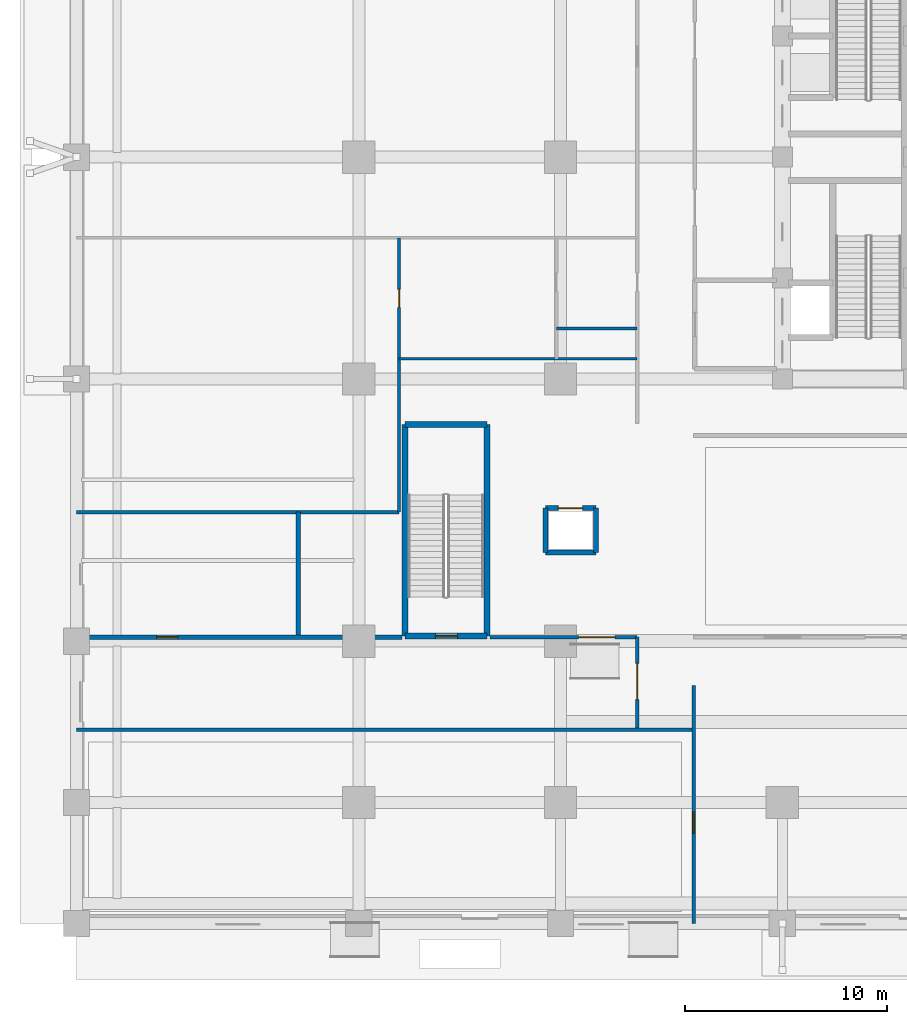
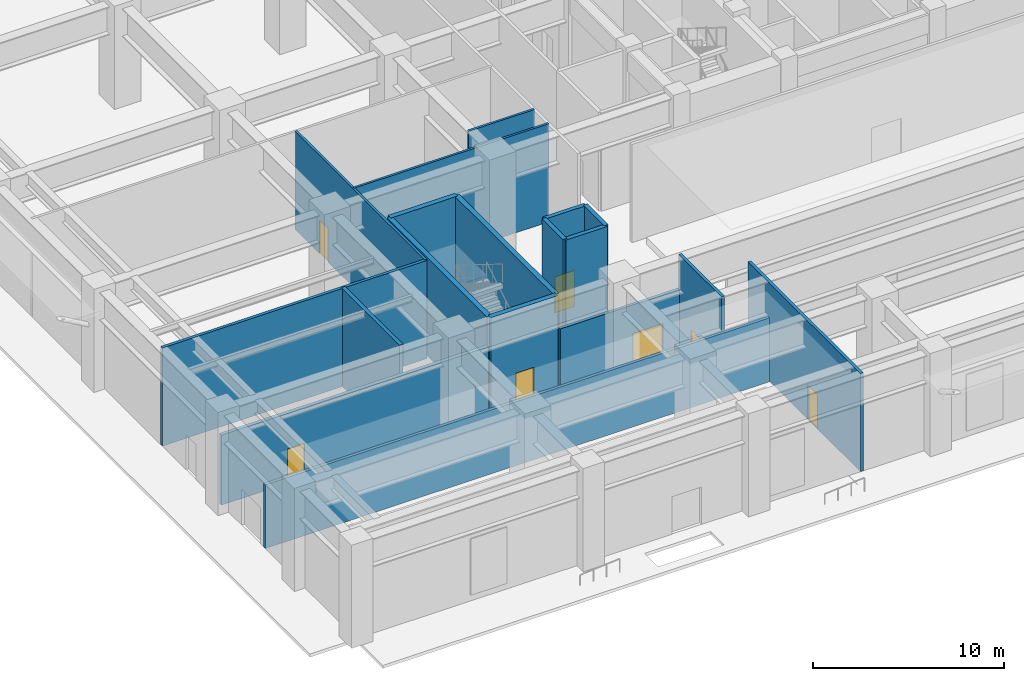
# One storey, part 6 of 21: 18 walls, 7 doors, 7 openings.
"""IFC4 building model written with IfcOpenShell, lengths in metres."""

from ifc_helpers import new_model, si_unit, direction, frame, frame_2d, origin, place, context, subcontext, project, spatial, rectangle, extrude, source, transform, mapped, material, layer, layer_set, type_object, element, fill, save


model = new_model("IFC4")

# Units and contexts
model_context = context("Model", 3, precision=1e-05, world=origin(), true_north=direction((0.0, 1.0)))
body_context = subcontext(model_context, "Body", "Model", "MODEL_VIEW")
ifc_project = project(units=[si_unit("LENGTHUNIT", "METRE"), si_unit("AREAUNIT", "SQUARE_METRE"), si_unit("VOLUMEUNIT", "CUBIC_METRE"), si_unit("PLANEANGLEUNIT", "RADIAN"), si_unit("MASSUNIT", "GRAM", prefix="KILO")], contexts=[model_context])

# Site, building, storey
site_placement = place(None, origin())
site = spatial("IfcSite", under=ifc_project, at=site_placement, CompositionType="ELEMENT")
building_placement = place(site_placement, origin())
building = spatial("IfcBuilding", under=site, at=building_placement, Name="Khorayat Bourse Tower", CompositionType="ELEMENT")
storey_placement = place(building_placement, origin())
storey = spatial("IfcBuildingStorey", under=building, at=storey_placement, Name="L00", CompositionType="ELEMENT", Elevation=0.0)

# Wall, opening, door
ifc_material_1 = material(Name="Concrete C50/60", Category="concrete")
ifc_layer_1 = layer(ifc_material_1, 0.300048828125)
ifc_layer_set_1 = layer_set([ifc_layer_1], Name="Concrete C50/60")
wall_type_1 = type_object("IfcWallType", Name="WAL-SHAFT-300", PredefinedType="SHEAR", material=ifc_layer_set_1)
shared_shape_1 = source(origin(), body_context, "Body", "SweptSolid", [
    extrude(rectangle(XDim=4.050048828125, YDim=0.300048828125, at=frame_2d((2.02490234375, 0.0))), origin(), (0.0, 0.0, 1.0), 6.280029296875),
])
wall_1_placement = place(storey_placement, frame((-29.699951171875, -23.75, 0.0), z_axis=(0.0, 0.0, 1.0), x_axis=(1.0, 0.0, 0.0)))
wall_1 = element("IfcWall", 1, at=wall_1_placement, inside=storey, type_object=wall_type_1, Name="L00 Partition WAL-L00-STP1-S", PredefinedType="SHEAR", context=body_context, shape_type="MappedRepresentation", body=[
    mapped(shared_shape_1, transform((0.0, 0.0, 0.0), scale=1.0)),
])
shared_shape_2 = source(origin(), body_context, "Body", "SweptSolid", [
    extrude(rectangle(XDim=1.10009765625, YDim=2.199951171875, at=frame_2d((0.550048828125, 1.10009765625))), frame((0.0, 0.159912109375, 0.0), z_axis=(0.0, -1.0, 0.0), x_axis=(1.0, 0.0, 0.0)), (0.0, 0.0, 1.0), 0.320068359375),
])
opening_1_placement = place(wall_1_placement, frame((1.5, 0.0, 0.0)))
opening_1 = element("IfcOpeningElement", 2, at=opening_1_placement, cuts=wall_1, Name="Opening DI-01", PredefinedType="OPENING", context=body_context, shape_type="MappedRepresentation", body=[
    mapped(shared_shape_2, transform((0.0, 0.0, 0.0), scale=1.0)),
])
ifc_material_2 = material(Name="Fire-rated steel acoustic leaf", Category="steel")
door_type_1 = type_object("IfcDoorType", Name="DR-INT-STAIR-1100", OperationType="NOTDEFINED", PredefinedType="DOOR", material=ifc_material_2)
shared_shape_3 = source(origin(), body_context, "Body", "SweptSolid", [
    extrude(rectangle(XDim=1.10009765625, YDim=2.199951171875, at=frame_2d((0.550048828125, 1.10009765625))), frame((0.0, 0.02490234375, 0.0), z_axis=(0.0, -1.0, 0.0), x_axis=(1.0, 0.0, 0.0)), (0.0, 0.0, 1.0), 0.050048828125),
])
door_1_placement = place(opening_1_placement, origin())
door_1 = element("IfcDoor", 3, at=door_1_placement, inside=storey, type_object=door_type_1, Name="L00 Podium Stair P1 Door", OperationType="SINGLE_SWING_LEFT", OverallHeight=2.199951171875, OverallWidth=1.10009765625, PredefinedType="DOOR", context=body_context, shape_type="MappedRepresentation", body=[
    mapped(shared_shape_3, transform((0.0, 0.0, 0.0), scale=1.0)),
])
fill(opening_1, door_1)

# Walls
wall_2_placement = place(storey_placement, frame((-29.699951171875, -13.25, 0.0), z_axis=(0.0, 0.0, 1.0), x_axis=(1.0, 0.0, 0.0)))
element("IfcWall", 4, at=wall_2_placement, inside=storey, type_object=wall_type_1, Name="L00 Partition WAL-L00-STP1-N", PredefinedType="SHEAR", context=body_context, shape_type="MappedRepresentation", body=[
    mapped(shared_shape_1, transform((0.0, 0.0, 0.0), scale=1.0)),
])
shared_shape_4 = source(origin(), body_context, "Body", "SweptSolid", [
    extrude(rectangle(XDim=10.5, YDim=0.300048828125, at=frame_2d((5.25, 0.0))), origin(), (0.0, 0.0, 1.0), 6.280029296875),
])
for number, where, z_axis, x_axis, name in (
    (5, (-29.699951171875, -23.75, 0.0), (0.0, 0.0, 1.0), (0.0, 1.0, 0.0), "L00 Partition WAL-L00-STP1-W"),
    (6, (-25.64990234375, -23.75, 0.0), (0.0, 0.0, 1.0), (0.0, 1.0, 0.0), "L00 Partition WAL-L00-STP1-E"),
):
    element("IfcWall", number, at=place(storey_placement, frame(where, z_axis=z_axis, x_axis=x_axis)), inside=storey, type_object=wall_type_1, Name=name, PredefinedType="SHEAR", context=body_context, shape_type="MappedRepresentation", body=[
        mapped(shared_shape_4, transform((0.0, 0.0, 0.0), scale=1.0)),
    ])
shared_shape_5 = source(origin(), body_context, "Body", "SweptSolid", [
    extrude(rectangle(XDim=2.5, YDim=0.25, at=frame_2d((1.25, 0.0))), origin(), (0.0, 0.0, 1.0), 6.280029296875),
])
wall_3_placement = place(storey_placement, frame((-22.75, -19.60009765625, 0.0), z_axis=(0.0, 0.0, 1.0), x_axis=(1.0, 0.0, 0.0)))
element("IfcWall", 7, at=wall_3_placement, inside=storey, type_object=wall_type_1, Name="L00 Partition WAL-L00-PLP1-S", PredefinedType="SHEAR", context=body_context, shape_type="MappedRepresentation", body=[
    mapped(shared_shape_5, transform((0.0, 0.0, 0.0), scale=1.0)),
])

# Wall, opening, door
wall_4_placement = place(storey_placement, frame((-22.75, -17.39990234375, 0.0), z_axis=(0.0, 0.0, 1.0), x_axis=(1.0, 0.0, 0.0)))
wall_4 = element("IfcWall", 8, at=wall_4_placement, inside=storey, type_object=wall_type_1, Name="L00 Partition WAL-L00-PLP1-N", PredefinedType="SHEAR", context=body_context, shape_type="MappedRepresentation", body=[
    mapped(shared_shape_5, transform((0.0, 0.0, 0.0), scale=1.0)),
])
shared_shape_6 = source(origin(), body_context, "Body", "SweptSolid", [
    extrude(rectangle(XDim=1.199951171875, YDim=2.300048828125, at=frame_2d((0.60009765625, 1.14990234375))), frame((0.0, 0.135009765625, 0.0), z_axis=(0.0, -1.0, 0.0), x_axis=(1.0, 0.0, 0.0)), (0.0, 0.0, 1.0), 0.27001953125),
])
opening_2_placement = place(wall_4_placement, frame((0.64990234375, 0.0, 0.0)))
opening_2 = element("IfcOpeningElement", 9, at=opening_2_placement, cuts=wall_4, Name="Opening LD-01", PredefinedType="OPENING", context=body_context, shape_type="MappedRepresentation", body=[
    mapped(shared_shape_6, transform((0.0, 0.0, 0.0), scale=1.0)),
])
ifc_material_3 = material(Name="Brushed bronze stainless-steel sliding door", Category="steel")
door_type_2 = type_object("IfcDoorType", Name="DR-LIFT-PASS-1200", OperationType="NOTDEFINED", PredefinedType="DOOR", material=ifc_material_3)
shared_shape_7 = source(origin(), body_context, "Body", "SweptSolid", [
    extrude(rectangle(XDim=1.199951171875, YDim=2.300048828125, at=frame_2d((0.60009765625, 1.14990234375))), frame((0.0, 0.02490234375, 0.0), z_axis=(0.0, -1.0, 0.0), x_axis=(1.0, 0.0, 0.0)), (0.0, 0.0, 1.0), 0.050048828125),
])
door_2_placement = place(opening_2_placement, origin())
door_2 = element("IfcDoor", 10, at=door_2_placement, inside=storey, type_object=door_type_2, Name="L00 Lift PL-P1 Sliding Landing Door", OperationType="SLIDING_TO_LEFT", OverallHeight=2.300048828125, OverallWidth=1.199951171875, PredefinedType="DOOR", context=body_context, shape_type="MappedRepresentation", body=[
    mapped(shared_shape_7, transform((0.0, 0.0, 0.0), scale=1.0)),
])
fill(opening_2, door_2)

# Walls
shared_shape_8 = source(origin(), body_context, "Body", "SweptSolid", [
    extrude(rectangle(XDim=2.2001953125, YDim=0.25, at=frame_2d((1.10009765625, 0.0))), origin(), (0.0, 0.0, 1.0), 6.280029296875),
])
for number, where, z_axis, x_axis, name in (
    (11, (-22.75, -19.60009765625, 0.0), (0.0, 0.0, 1.0), (0.0, 1.0, 0.0), "L00 Partition WAL-L00-PLP1-W"),
    (12, (-20.25, -19.60009765625, 0.0), (0.0, 0.0, 1.0), (0.0, 1.0, 0.0), "L00 Partition WAL-L00-PLP1-E"),
):
    element("IfcWall", number, at=place(storey_placement, frame(where, z_axis=z_axis, x_axis=x_axis)), inside=storey, type_object=wall_type_1, Name=name, PredefinedType="SHEAR", context=body_context, shape_type="MappedRepresentation", body=[
        mapped(shared_shape_8, transform((0.0, 0.0, 0.0), scale=1.0)),
    ])

# Wall, opening, door
ifc_material_4 = material(Name="Gypsum plasterboard acoustic stud wall")
ifc_layer_2 = layer(ifc_material_4, 0.179931640625)
ifc_layer_set_2 = layer_set([ifc_layer_2], Name="Gypsum plasterboard acoustic stud wall")
wall_type_2 = type_object("IfcWallType", Name="WAL-PART-CORR-180", PredefinedType="PARTITIONING", material=ifc_layer_set_2)
shared_shape_9 = source(origin(), body_context, "Body", "SweptSolid", [
    extrude(rectangle(XDim=11.800048828125, YDim=0.179931640625, at=frame_2d((5.89990234375, 0.0))), origin(), (0.0, 0.0, 1.0), 6.280029296875),
])
wall_5_placement = place(storey_placement, frame((-15.39990234375, -38.0, 0.0), z_axis=(0.0, 0.0, 1.0), x_axis=(0.0, 1.0, 0.0)))
wall_5 = element("IfcWall", 13, at=wall_5_placement, inside=storey, type_object=wall_type_2, Name="L00 Partition WAL-L00-IWAN-W", PredefinedType="PARTITIONING", context=body_context, shape_type="MappedRepresentation", body=[
    mapped(shared_shape_9, transform((0.0, 0.0, 0.0), scale=1.0)),
])
shared_shape_10 = source(origin(), body_context, "Body", "SweptSolid", [
    extrude(rectangle(XDim=1.050048828125, YDim=2.199951171875, at=frame_2d((0.52490234375, 1.10009765625))), frame((0.0, 0.099853515625, 0.0), z_axis=(0.0, -1.0, 0.0), x_axis=(1.0, 0.0, 0.0)), (0.0, 0.0, 1.0), 0.199951171875),
])
opening_3_placement = place(wall_5_placement, frame((4.47509765625, 0.0, 0.0)))
opening_3 = element("IfcOpeningElement", 14, at=opening_3_placement, cuts=wall_5, Name="Opening DI-04", PredefinedType="OPENING", context=body_context, shape_type="MappedRepresentation", body=[
    mapped(shared_shape_10, transform((0.0, 0.0, 0.0), scale=1.0)),
])
ifc_material_5 = material(Name="Fire-rated oak veneer suite entrance door")
door_type_3 = type_object("IfcDoorType", Name="DR-INT-SUITE-1050", OperationType="NOTDEFINED", PredefinedType="DOOR", material=ifc_material_5)
shared_shape_11 = source(origin(), body_context, "Body", "SweptSolid", [
    extrude(rectangle(XDim=1.050048828125, YDim=2.199951171875, at=frame_2d((0.52490234375, 1.10009765625))), frame((0.0, 0.02490234375, 0.0), z_axis=(0.0, -1.0, 0.0), x_axis=(1.0, 0.0, 0.0)), (0.0, 0.0, 1.0), 0.050048828125),
])
door_3_placement = place(opening_3_placement, origin())
door_3 = element("IfcDoor", 15, at=door_3_placement, inside=storey, type_object=door_type_3, Name="L00 West Retail Foyer Door", OperationType="SINGLE_SWING_LEFT", OverallHeight=2.199951171875, OverallWidth=1.050048828125, PredefinedType="DOOR", context=body_context, shape_type="MappedRepresentation", body=[
    mapped(shared_shape_11, transform((0.0, 0.0, 0.0), scale=1.0)),
])
fill(opening_3, door_3)

# Wall
shared_shape_12 = source(origin(), body_context, "Body", "SweptSolid", [
    extrude(rectangle(XDim=30.60009765625, YDim=0.179931640625, at=frame_2d((15.300048828125, 0.0))), origin(), (0.0, 0.0, 1.0), 4.080078125),
])
wall_6_placement = place(storey_placement, frame((-46.0, -28.39990234375, 0.0), z_axis=(0.0, 0.0, 1.0), x_axis=(1.0, 0.0, 0.0)))
element("IfcWall", 16, at=wall_6_placement, inside=storey, type_object=wall_type_2, Name="L00 Partition WAL-L00-RET-NW", PredefinedType="PARTITIONING", context=body_context, shape_type="MappedRepresentation", body=[
    mapped(shared_shape_12, transform((0.0, 0.0, 0.0), scale=1.0)),
])

# Wall, opening, door
shared_shape_13 = source(origin(), body_context, "Body", "SweptSolid", [
    extrude(rectangle(XDim=4.5, YDim=0.179931640625, at=frame_2d((2.25, 0.0))), origin(), (0.0, 0.0, 1.0), 6.280029296875),
])
wall_7_placement = place(storey_placement, frame((-18.199951171875, -28.300048828125, 0.0), z_axis=(0.0, 0.0, 1.0), x_axis=(0.0, 1.0, 0.0)))
wall_7 = element("IfcWall", 17, at=wall_7_placement, inside=storey, type_object=wall_type_2, Name="L00 Partition WAL-L00-WEX-E", PredefinedType="PARTITIONING", context=body_context, shape_type="MappedRepresentation", body=[
    mapped(shared_shape_13, transform((0.0, 0.0, 0.0), scale=1.0)),
])
shared_shape_14 = source(origin(), body_context, "Body", "SweptSolid", [
    extrude(rectangle(XDim=1.800048828125, YDim=2.25, at=frame_2d((0.89990234375, 1.125))), frame((0.0, 0.099853515625, 0.0), z_axis=(0.0, -1.0, 0.0), x_axis=(1.0, 0.0, 0.0)), (0.0, 0.0, 1.0), 0.199951171875),
])
opening_4_placement = place(wall_7_placement, frame((1.39990234375, 0.0, 0.0)))
opening_4 = element("IfcOpeningElement", 18, at=opening_4_placement, cuts=wall_7, Name="Opening DI-03", PredefinedType="OPENING", context=body_context, shape_type="MappedRepresentation", body=[
    mapped(shared_shape_14, transform((0.0, 0.0, 0.0), scale=1.0)),
])
ifc_material_6 = material(Name="Fire-rated hardwood vision-panel double leaf", Category="wood")
door_type_4 = type_object("IfcDoorType", Name="DR-INT-CORR-1800", OperationType="NOTDEFINED", PredefinedType="DOOR", material=ifc_material_6)
shared_shape_15 = source(origin(), body_context, "Body", "SweptSolid", [
    extrude(rectangle(XDim=1.800048828125, YDim=2.25, at=frame_2d((0.89990234375, 1.125))), frame((0.0, 0.02490234375, 0.0), z_axis=(0.0, -1.0, 0.0), x_axis=(1.0, 0.0, 0.0)), (0.0, 0.0, 1.0), 0.050048828125),
])
door_4_placement = place(opening_4_placement, origin())
door_4 = element("IfcDoor", 19, at=door_4_placement, inside=storey, type_object=door_type_4, Name="L00 West Exit Passage Concourse Door", OperationType="SINGLE_SWING_LEFT", OverallHeight=2.25, OverallWidth=1.800048828125, PredefinedType="DOOR", context=body_context, shape_type="MappedRepresentation", body=[
    mapped(shared_shape_15, transform((0.0, 0.0, 0.0), scale=1.0)),
])
fill(opening_4, door_4)

ifc_material_7 = material(Name="Aerated concrete blockwork", Category="masonry")
ifc_layer_3 = layer(ifc_material_7, 0.219970703125)
ifc_layer_set_3 = layer_set([ifc_layer_3], Name="Aerated concrete blockwork")
wall_type_3 = type_object("IfcWallType", Name="WAL-PART-FF-220", PredefinedType="PARTITIONING", material=ifc_layer_set_3)
shared_shape_16 = source(origin(), body_context, "Body", "SweptSolid", [
    extrude(rectangle(XDim=16.14990234375, YDim=0.219970703125, at=frame_2d((8.074951171875, 0.0))), origin(), (0.0, 0.0, 1.0), 4.47998046875),
])
wall_8_placement = place(storey_placement, frame((-46.0, -23.800048828125, 0.0), z_axis=(0.0, 0.0, 1.0), x_axis=(1.0, 0.0, 0.0)))
wall_8 = element("IfcWall", 20, at=wall_8_placement, inside=storey, type_object=wall_type_3, Name="L00 Partition WAL-L00-WEX-N1", PredefinedType="PARTITIONING", context=body_context, shape_type="MappedRepresentation", body=[
    mapped(shared_shape_16, transform((0.0, 0.0, 0.0), scale=1.0)),
])
shared_shape_17 = source(origin(), body_context, "Body", "SweptSolid", [
    extrude(rectangle(XDim=1.050048828125, YDim=2.199951171875, at=frame_2d((0.52490234375, 1.10009765625))), frame((0.0, 0.119873046875, 0.0), z_axis=(0.0, -1.0, 0.0), x_axis=(1.0, 0.0, 0.0)), (0.0, 0.0, 1.0), 0.239990234375),
])
opening_5_placement = place(wall_8_placement, frame((3.97509765625, 0.0, 0.0)))
opening_5 = element("IfcOpeningElement", 21, at=opening_5_placement, cuts=wall_8, Name="Opening DI-04", PredefinedType="OPENING", context=body_context, shape_type="MappedRepresentation", body=[
    mapped(shared_shape_17, transform((0.0, 0.0, 0.0), scale=1.0)),
])
door_5_placement = place(opening_5_placement, origin())
door_5 = element("IfcDoor", 22, at=door_5_placement, inside=storey, type_object=door_type_3, Name="L00 Fire Command Room Door", OperationType="SINGLE_SWING_LEFT", OverallHeight=2.199951171875, OverallWidth=1.050048828125, PredefinedType="DOOR", context=body_context, shape_type="MappedRepresentation", body=[
    mapped(shared_shape_11, transform((0.0, 0.0, 0.0), scale=1.0)),
])
fill(opening_5, door_5)

shared_shape_18 = source(origin(), body_context, "Body", "SweptSolid", [
    extrude(rectangle(XDim=7.300048828125, YDim=0.179931640625, at=frame_2d((3.64990234375, 0.0))), origin(), (0.0, 0.0, 1.0), 4.080078125),
])
wall_9_placement = place(storey_placement, frame((-25.5, -23.800048828125, 0.0), z_axis=(0.0, 0.0, 1.0), x_axis=(1.0, 0.0, 0.0)))
wall_9 = element("IfcWall", 23, at=wall_9_placement, inside=storey, type_object=wall_type_2, Name="L00 Partition WAL-L00-WEX-N2", PredefinedType="PARTITIONING", context=body_context, shape_type="MappedRepresentation", body=[
    mapped(shared_shape_18, transform((0.0, 0.0, 0.0), scale=1.0)),
])
opening_6_placement = place(wall_9_placement, frame((4.39990234375, 0.0, 0.0)))
opening_6 = element("IfcOpeningElement", 24, at=opening_6_placement, cuts=wall_9, Name="Opening DI-03", PredefinedType="OPENING", context=body_context, shape_type="MappedRepresentation", body=[
    mapped(shared_shape_14, transform((0.0, 0.0, 0.0), scale=1.0)),
])
door_6_placement = place(opening_6_placement, origin())
door_6 = element("IfcDoor", 25, at=door_6_placement, inside=storey, type_object=door_type_4, Name="L00 West Corridor Exit Passage Door", OperationType="SINGLE_SWING_LEFT", OverallHeight=2.25, OverallWidth=1.800048828125, PredefinedType="DOOR", context=body_context, shape_type="MappedRepresentation", body=[
    mapped(shared_shape_15, transform((0.0, 0.0, 0.0), scale=1.0)),
])
fill(opening_6, door_6)

# Walls
shared_shape_19 = source(origin(), body_context, "Body", "SweptSolid", [
    extrude(rectangle(XDim=6.08984375, YDim=0.219970703125, at=frame_2d((3.044921875, 0.0))), origin(), (0.0, 0.0, 1.0), 6.280029296875),
])
wall_10_placement = place(storey_placement, frame((-35.0, -23.68994140625, 0.0), z_axis=(0.0, 0.0, 1.0), x_axis=(0.0, 1.0, 0.0)))
element("IfcWall", 26, at=wall_10_placement, inside=storey, type_object=wall_type_3, Name="L00 Partition WAL-L00-FCC-E", PredefinedType="PARTITIONING", context=body_context, shape_type="MappedRepresentation", body=[
    mapped(shared_shape_19, transform((0.0, 0.0, 0.0), scale=1.0)),
])
shared_shape_20 = source(origin(), body_context, "Body", "SweptSolid", [
    extrude(rectangle(XDim=16.0, YDim=0.179931640625, at=frame_2d((8.0, 0.0))), origin(), (0.0, 0.0, 1.0), 6.280029296875),
])
wall_11_placement = place(storey_placement, frame((-46.0, -17.60009765625, 0.0), z_axis=(0.0, 0.0, 1.0), x_axis=(1.0, 0.0, 0.0)))
element("IfcWall", 27, at=wall_11_placement, inside=storey, type_object=wall_type_2, Name="L00 Partition WAL-L00-WEX-N", PredefinedType="PARTITIONING", context=body_context, shape_type="MappedRepresentation", body=[
    mapped(shared_shape_20, transform((0.0, 0.0, 0.0), scale=1.0)),
])

# Wall, opening, door
ifc_material_8 = material(Name="Moisture-resistant masonry partition", Category="masonry")
ifc_layer_4 = layer(ifc_material_8, 0.139892578125)
ifc_layer_set_4 = layer_set([ifc_layer_4], Name="Moisture-resistant masonry partition")
wall_type_4 = type_object("IfcWallType", Name="WAL-PART-WET-140", PredefinedType="PARTITIONING", material=ifc_layer_set_4)
shared_shape_21 = source(origin(), body_context, "Body", "SweptSolid", [
    extrude(rectangle(XDim=13.60009765625, YDim=0.139892578125, at=frame_2d((6.800048828125, 0.0))), origin(), (0.0, 0.0, 1.0), 6.280029296875),
])
wall_12_placement = place(storey_placement, frame((-30.0, -17.60009765625, 0.0), z_axis=(0.0, 0.0, 1.0), x_axis=(0.0, 1.0, 0.0)))
wall_12 = element("IfcWall", 28, at=wall_12_placement, inside=storey, type_object=wall_type_4, Name="L00 Partition WAL-L00-WF-2", PredefinedType="PARTITIONING", context=body_context, shape_type="MappedRepresentation", body=[
    mapped(shared_shape_21, transform((0.0, 0.0, 0.0), scale=1.0)),
])
shared_shape_22 = source(origin(), body_context, "Body", "SweptSolid", [
    extrude(rectangle(XDim=0.89990234375, YDim=2.14990234375, at=frame_2d((0.449951171875, 1.074951171875))), frame((0.0, 0.079833984375, 0.0), z_axis=(0.0, -1.0, 0.0), x_axis=(1.0, 0.0, 0.0)), (0.0, 0.0, 1.0), 0.159912109375),
])
opening_7_placement = place(wall_12_placement, frame((10.14990234375, 0.0, 0.0)))
opening_7 = element("IfcOpeningElement", 29, at=opening_7_placement, cuts=wall_12, Name="Opening DI-06", PredefinedType="OPENING", context=body_context, shape_type="MappedRepresentation", body=[
    mapped(shared_shape_22, transform((0.0, 0.0, 0.0), scale=1.0)),
])
ifc_material_9 = material(Name="Moisture-resistant laminate washroom door")
door_type_5 = type_object("IfcDoorType", Name="DR-INT-WC-900", OperationType="NOTDEFINED", PredefinedType="DOOR", material=ifc_material_9)
shared_shape_23 = source(origin(), body_context, "Body", "SweptSolid", [
    extrude(rectangle(XDim=0.89990234375, YDim=2.14990234375, at=frame_2d((0.449951171875, 1.074951171875))), frame((0.0, 0.02490234375, 0.0), z_axis=(0.0, -1.0, 0.0), x_axis=(1.0, 0.0, 0.0)), (0.0, 0.0, 1.0), 0.050048828125),
])
door_7_placement = place(opening_7_placement, origin())
door_7 = element("IfcDoor", 30, at=door_7_placement, inside=storey, type_object=door_type_5, Name="L00 Public Washrooms Door", OperationType="SINGLE_SWING_LEFT", OverallHeight=2.14990234375, OverallWidth=0.89990234375, PredefinedType="DOOR", context=body_context, shape_type="MappedRepresentation", body=[
    mapped(shared_shape_23, transform((0.0, 0.0, 0.0), scale=1.0)),
])
fill(opening_7, door_7)

# Walls
shared_shape_24 = source(origin(), body_context, "Body", "SweptSolid", [
    extrude(rectangle(XDim=11.800048828125, YDim=0.139892578125, at=frame_2d((5.89990234375, 0.0))), origin(), (0.0, 0.0, 1.0), 6.280029296875),
])
wall_13_placement = place(storey_placement, frame((-30.0, -10.0, 0.0), z_axis=(0.0, 0.0, 1.0), x_axis=(1.0, 0.0, 0.0)))
element("IfcWall", 31, at=wall_13_placement, inside=storey, type_object=wall_type_4, Name="L00 Partition WAL-L00-WF-3", PredefinedType="PARTITIONING", context=body_context, shape_type="MappedRepresentation", body=[
    mapped(shared_shape_24, transform((0.0, 0.0, 0.0), scale=1.0)),
])
shared_shape_25 = source(origin(), body_context, "Body", "SweptSolid", [
    extrude(rectangle(XDim=4.0, YDim=0.139892578125, at=frame_2d((2.0, 0.0))), origin(), (0.0, 0.0, 1.0), 6.280029296875),
])
wall_14_placement = place(storey_placement, frame((-22.199951171875, -8.5, 0.0), z_axis=(0.0, 0.0, 1.0), x_axis=(1.0, 0.0, 0.0)))
element("IfcWall", 32, at=wall_14_placement, inside=storey, type_object=wall_type_4, Name="L00 Partition WAL-L00-WF-5", PredefinedType="PARTITIONING", context=body_context, shape_type="MappedRepresentation", body=[
    mapped(shared_shape_25, transform((0.0, 0.0, 0.0), scale=1.0)),
])

save(model, "model.ifc")
